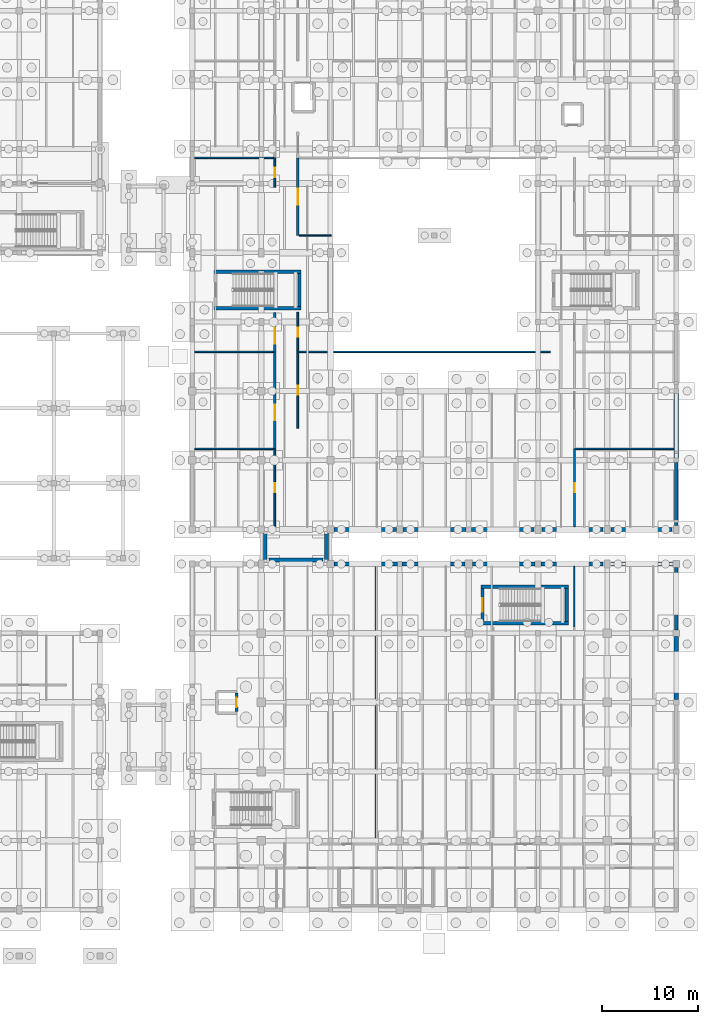
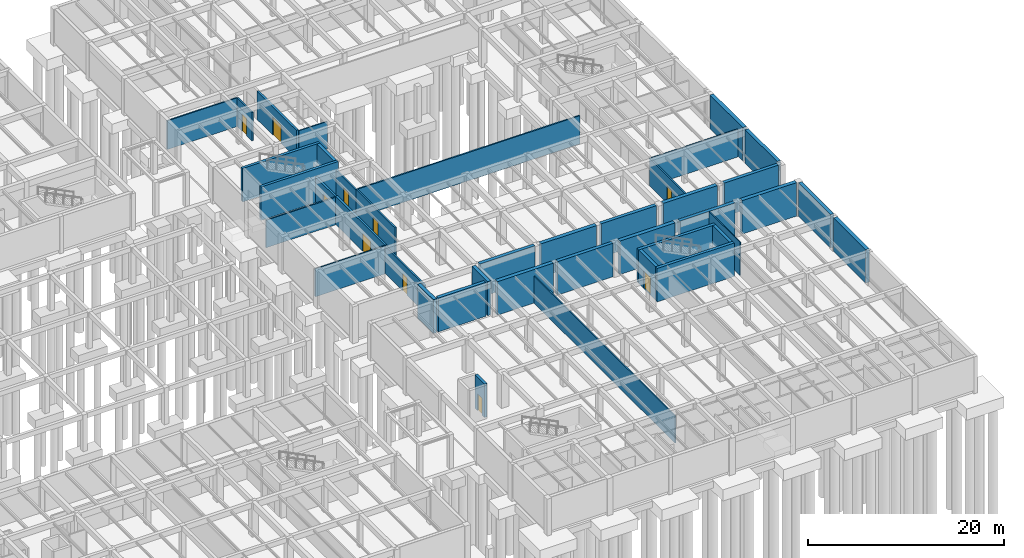
# One storey, part 48 of 63: 41 walls, 10 doors, 10 openings.
"""IFC4 building model written with IfcOpenShell, lengths in metres."""

from ifc_helpers import new_model, si_unit, direction, frame, frame_2d, origin, place, context, subcontext, project, spatial, rectangle, extrude, material, layer, layer_set, type_object, element, fill, save


model = new_model("IFC4")

# Units and contexts
model_context = context("Model", 3, precision=1e-05, world=origin(), true_north=direction((0.0, 1.0)))
body_context = subcontext(model_context, "Body", "Model", "MODEL_VIEW")
ifc_project = project(units=[si_unit("LENGTHUNIT", "METRE"), si_unit("AREAUNIT", "SQUARE_METRE"), si_unit("VOLUMEUNIT", "CUBIC_METRE"), si_unit("PLANEANGLEUNIT", "RADIAN"), si_unit("MASSUNIT", "GRAM", prefix="KILO")], contexts=[model_context])

# Site, building, storey
site_placement = place(None, origin())
site = spatial("IfcSite", under=ifc_project, at=site_placement, CompositionType="ELEMENT")
building_placement = place(site_placement, origin())
building = spatial("IfcBuilding", under=site, at=building_placement, Name="Mazaris Harbour Polytechnic", CompositionType="ELEMENT")
storey_placement = place(building_placement, frame((0.0, 0.0, -4.5)))
storey = spatial("IfcBuildingStorey", under=building, at=storey_placement, Name="B1", CompositionType="ELEMENT", Elevation=-4.5)

# Walls
ifc_material_1 = material(Name="Gypsum Board and Mineral Wool")
ifc_layer_1 = layer(ifc_material_1, 0.1201171875, Name="Gypsum Board and Mineral Wool")
ifc_layer_set_1 = layer_set([ifc_layer_1], Name="Gypsum Board and Mineral Wool")
wall_type_1 = type_object("IfcWallType", Name="Acoustic Stud Partition 120", PredefinedType="PARTITIONING", material=ifc_layer_set_1)
wall_1_placement = place(storey_placement, frame((162.1669921875, 36.68505859375, 0.0), z_axis=(0.0, 0.0, 1.0), x_axis=(0.0, 1.0, 0.0)))
element("IfcWall", 1, at=wall_1_placement, inside=storey, type_object=wall_type_1, Name="V2 B1 Partition 95", PredefinedType="PARTITIONING", context=body_context, shape_type="SweptSolid", body=[
    extrude(rectangle(XDim=6.264892578125, YDim=0.1201171875, at=frame_2d((3.13232421875, 0.0))), origin(), (0.0, 0.0, 1.0), 4.179931640625),
])
wall_2_placement = place(storey_placement, frame((133.52001953125, 77.39990234375, 0.0), z_axis=(0.0, 0.0, 1.0), x_axis=(1.0, 0.0, 0.0)))
element("IfcWall", 2, at=wall_2_placement, inside=storey, type_object=wall_type_1, Name="V5 B1 Partition 524", PredefinedType="PARTITIONING", context=body_context, shape_type="SweptSolid", body=[
    extrude(rectangle(XDim=3.35986328125, YDim=0.1201171875, at=frame_2d((1.679931640625, 0.0))), origin(), (0.0, 0.0, 1.0), 3.429931640625),
])

# Wall, opening, door
ifc_material_2 = material(Name="Concrete C35/45", Category="concrete")
ifc_layer_2 = layer(ifc_material_2, 0.239990234375, Name="Concrete C35/45")
ifc_layer_set_2 = layer_set([ifc_layer_2], Name="Concrete C35/45")
wall_type_2 = type_object("IfcWallType", Name="Archive Vault Fire Wall 240", PredefinedType="STANDARD", material=ifc_layer_set_2)
wall_3_placement = place(storey_placement, frame((131.0, 55.18505859375, 0.0), z_axis=(0.0, 0.0, 1.0), x_axis=(0.0, 1.0, 0.0)))
wall_3 = element("IfcWall", 3, at=wall_3_placement, inside=storey, type_object=wall_type_2, Name="V5 B1 Partition 513", PredefinedType="STANDARD", context=body_context, shape_type="SweptSolid", body=[
    extrude(rectangle(XDim=10.094970703125, YDim=0.239990234375, at=frame_2d((5.04736328125, 0.0))), origin(), (0.0, 0.0, 1.0), 3.530029296875),
])
opening_1_placement = place(wall_3_placement, frame((2.955810546875, 0.0, 0.0)))
opening_1 = element("IfcOpeningElement", 4, at=opening_1_placement, cuts=wall_3, Name="Opening ID-06D", PredefinedType="OPENING", context=body_context, shape_type="SweptSolid", body=[
    extrude(rectangle(XDim=1.64990234375, YDim=2.25, at=frame_2d((0.824951171875, 1.125))), frame((0.0, 0.1298828125, 0.0), z_axis=(0.0, -1.0, 0.0), x_axis=(1.0, 0.0, 0.0)), (0.0, 0.0, 1.0), 0.260009765625),
])
ifc_material_3 = material(Name="Galvanised Steel S355", Category="steel")
door_type_1 = type_object("IfcDoorType", Name="Plant and Substation Double Door 1650x2250", OperationType="DOUBLE_DOOR_SINGLE_SWING", PredefinedType="DOOR", material=ifc_material_3)
door_1_placement = place(opening_1_placement, origin())
door_1 = element("IfcDoor", 5, at=door_1_placement, inside=storey, type_object=door_type_1, Name="ID-0243", OperationType="DOUBLE_DOOR_SINGLE_SWING", OverallHeight=2.25, OverallWidth=1.64990234375, PredefinedType="DOOR", context=body_context, shape_type="SweptSolid", body=[
    extrude(rectangle(XDim=1.64990234375, YDim=2.25, at=frame_2d((0.824951171875, 1.125))), frame((0.0, 0.02490234375, 0.0), z_axis=(0.0, -1.0, 0.0), x_axis=(1.0, 0.0, 0.0)), (0.0, 0.0, 1.0), 0.050048828125),
])
fill(opening_1, door_1)

wall_4_placement = place(storey_placement, frame((131.0, 65.284912109375, 0.0), z_axis=(0.0, 0.0, 1.0), x_axis=(0.0, 1.0, 0.0)))
wall_4 = element("IfcWall", 6, at=wall_4_placement, inside=storey, type_object=wall_type_2, Name="V5 B1 Partition 515", PredefinedType="STANDARD", context=body_context, shape_type="SweptSolid", body=[
    extrude(rectangle(XDim=4.110107421875, YDim=0.239990234375, at=frame_2d((2.05517578125, 0.0))), origin(), (0.0, 0.0, 1.0), 3.429931640625),
])
opening_2_placement = place(wall_4_placement, frame((0.861083984375, 0.0, 0.0)))
opening_2 = element("IfcOpeningElement", 7, at=opening_2_placement, cuts=wall_4, Name="Opening ID-06D", PredefinedType="OPENING", context=body_context, shape_type="SweptSolid", body=[
    extrude(rectangle(XDim=1.64990234375, YDim=2.25, at=frame_2d((0.824951171875, 1.125))), frame((0.0, 0.1298828125, 0.0), z_axis=(0.0, -1.0, 0.0), x_axis=(1.0, 0.0, 0.0)), (0.0, 0.0, 1.0), 0.260009765625),
])
door_2_placement = place(opening_2_placement, origin())
door_2 = element("IfcDoor", 8, at=door_2_placement, inside=storey, type_object=door_type_1, Name="ID-0244", OperationType="DOUBLE_DOOR_SINGLE_SWING", OverallHeight=2.25, OverallWidth=1.64990234375, PredefinedType="DOOR", context=body_context, shape_type="SweptSolid", body=[
    extrude(rectangle(XDim=1.64990234375, YDim=2.25, at=frame_2d((0.824951171875, 1.125))), frame((0.0, 0.02490234375, 0.0), z_axis=(0.0, -1.0, 0.0), x_axis=(1.0, 0.0, 0.0)), (0.0, 0.0, 1.0), 0.050048828125),
])
fill(opening_2, door_2)

wall_5_placement = place(storey_placement, frame((133.39990234375, 77.39990234375, 0.0), z_axis=(0.0, 0.0, 1.0), x_axis=(0.0, 1.0, 0.0)))
wall_5 = element("IfcWall", 9, at=wall_5_placement, inside=storey, type_object=wall_type_2, Name="V5 B1 Partition 525", PredefinedType="STANDARD", context=body_context, shape_type="SweptSolid", body=[
    extrude(rectangle(XDim=8.080078125, YDim=0.239990234375, at=frame_2d((4.0400390625, 0.0))), origin(), (0.0, 0.0, 1.0), 3.530029296875),
])
opening_3_placement = place(wall_5_placement, frame((3.215087890625, 0.0, 0.0)))
opening_3 = element("IfcOpeningElement", 10, at=opening_3_placement, cuts=wall_5, Name="Opening ID-06D", PredefinedType="OPENING", context=body_context, shape_type="SweptSolid", body=[
    extrude(rectangle(XDim=1.64990234375, YDim=2.25, at=frame_2d((0.824951171875, 1.125))), frame((0.0, 0.1298828125, 0.0), z_axis=(0.0, -1.0, 0.0), x_axis=(1.0, 0.0, 0.0)), (0.0, 0.0, 1.0), 0.260009765625),
])
door_3_placement = place(opening_3_placement, origin())
door_3 = element("IfcDoor", 11, at=door_3_placement, inside=storey, type_object=door_type_1, Name="ID-0250", OperationType="DOUBLE_DOOR_SINGLE_SWING", OverallHeight=2.25, OverallWidth=1.64990234375, PredefinedType="DOOR", context=body_context, shape_type="SweptSolid", body=[
    extrude(rectangle(XDim=1.64990234375, YDim=2.25, at=frame_2d((0.824951171875, 1.125))), frame((0.0, 0.02490234375, 0.0), z_axis=(0.0, -1.0, 0.0), x_axis=(1.0, 0.0, 0.0)), (0.0, 0.0, 1.0), 0.050048828125),
])
fill(opening_3, door_3)

# Walls
ifc_material_4 = material(Name="Double Gypsum and Mineral Wool")
ifc_layer_3 = layer(ifc_material_4, 0.14990234375, Name="Double Gypsum and Mineral Wool")
ifc_layer_set_3 = layer_set([ifc_layer_3], Name="Double Gypsum and Mineral Wool")
wall_type_3 = type_object("IfcWallType", Name="Classroom Acoustic Partition 150", PredefinedType="PARTITIONING", material=ifc_layer_set_3)
wall_6_placement = place(storey_placement, frame((122.64990234375, 55.179931640625, 0.0), z_axis=(0.0, 0.0, 1.0), x_axis=(1.0, 0.0, 0.0)))
element("IfcWall", 12, at=wall_6_placement, inside=storey, type_object=wall_type_3, Name="V5 B1 Partition 512", PredefinedType="PARTITIONING", context=body_context, shape_type="SweptSolid", body=[
    extrude(rectangle(XDim=8.22998046875, YDim=0.14990234375, at=frame_2d((4.114990234375, 0.0))), origin(), (0.0, 0.0, 1.0), 3.47998046875),
])
wall_7_placement = place(storey_placement, frame((122.64990234375, 85.47998046875, 0.0), z_axis=(0.0, 0.0, 1.0), x_axis=(1.0, 0.0, 0.0)))
element("IfcWall", 13, at=wall_7_placement, inside=storey, type_object=wall_type_3, Name="V5 B1 Partition 517", PredefinedType="PARTITIONING", context=body_context, shape_type="SweptSolid", body=[
    extrude(rectangle(XDim=8.22998046875, YDim=0.14990234375, at=frame_2d((4.114990234375, 0.0))), origin(), (0.0, 0.0, 1.0), 3.580078125),
])
wall_8_placement = place(storey_placement, frame((162.320068359375, 55.179931640625, 0.0), z_axis=(0.0, 0.0, 1.0), x_axis=(1.0, 0.0, 0.0)))
element("IfcWall", 14, at=wall_8_placement, inside=storey, type_object=wall_type_3, Name="V5 B1 Partition 532", PredefinedType="PARTITIONING", context=body_context, shape_type="SweptSolid", body=[
    extrude(rectangle(XDim=10.22998046875, YDim=0.14990234375, at=frame_2d((5.114990234375, 0.0))), origin(), (0.0, 0.0, 1.0), 3.429931640625),
])

# Wall, opening, door
ifc_material_5 = material(Name="Terracotta Block and Plaster", Category="masonry")
ifc_layer_4 = layer(ifc_material_5, 0.179931640625, Name="Terracotta Block and Plaster")
ifc_layer_set_4 = layer_set([ifc_layer_4], Name="Terracotta Block and Plaster")
wall_type_4 = type_object("IfcWallType", Name="Corridor Fire Partition 180", PredefinedType="PARTITIONING", material=ifc_layer_set_4)
wall_9_placement = place(storey_placement, frame((131.0, 47.10009765625, 0.0), z_axis=(0.0, 0.0, 1.0), x_axis=(0.0, 1.0, 0.0)))
wall_9 = element("IfcWall", 15, at=wall_9_placement, inside=storey, type_object=wall_type_4, Name="V5 B1 Partition 511", PredefinedType="PARTITIONING", context=body_context, shape_type="SweptSolid", body=[
    extrude(rectangle(XDim=8.079833984375, YDim=0.179931640625, at=frame_2d((4.0400390625, 0.0))), origin(), (0.0, 0.0, 1.0), 3.3798828125),
])
opening_4_placement = place(wall_9_placement, frame((3.56005859375, 0.0, 0.0)))
opening_4 = element("IfcOpeningElement", 16, at=opening_4_placement, cuts=wall_9, Name="Opening ID-01R", PredefinedType="OPENING", context=body_context, shape_type="SweptSolid", body=[
    extrude(rectangle(XDim=0.9599609375, YDim=2.14990234375, at=frame_2d((0.47998046875, 1.074951171875))), frame((0.0, 0.099853515625, 0.0), z_axis=(0.0, -1.0, 0.0), x_axis=(1.0, 0.0, 0.0)), (0.0, 0.0, 1.0), 0.199951171875),
])
ifc_material_6 = material(Name="Solid Oak Timber", Category="wood")
door_type_2 = type_object("IfcDoorType", Name="Classroom Single Door RH 960x2150", OperationType="SINGLE_SWING_RIGHT", PredefinedType="DOOR", material=ifc_material_6)
door_4_placement = place(opening_4_placement, origin())
door_4 = element("IfcDoor", 17, at=door_4_placement, inside=storey, type_object=door_type_2, Name="ID-0242", OperationType="SINGLE_SWING_RIGHT", OverallHeight=2.14990234375, OverallWidth=0.9599609375, PredefinedType="DOOR", context=body_context, shape_type="SweptSolid", body=[
    extrude(rectangle(XDim=0.9599609375, YDim=2.14990234375, at=frame_2d((0.47998046875, 1.074951171875))), frame((0.0, 0.02490234375, 0.0), z_axis=(0.0, -1.0, 0.0), x_axis=(1.0, 0.0, 0.0)), (0.0, 0.0, 1.0), 0.050048828125),
])
fill(opening_4, door_4)

wall_10_placement = place(storey_placement, frame((131.0, 82.419921875, 0.0), z_axis=(0.0, 0.0, 1.0), x_axis=(0.0, 1.0, 0.0)))
wall_10 = element("IfcWall", 18, at=wall_10_placement, inside=storey, type_object=wall_type_4, Name="V5 B1 Partition 516", PredefinedType="PARTITIONING", context=body_context, shape_type="SweptSolid", body=[
    extrude(rectangle(XDim=3.06005859375, YDim=0.179931640625, at=frame_2d((1.530029296875, 0.0))), origin(), (0.0, 0.0, 1.0), 3.530029296875),
])
opening_5_placement = place(wall_10_placement, frame((1.054931640625, 0.0, 0.0)))
opening_5 = element("IfcOpeningElement", 19, at=opening_5_placement, cuts=wall_10, Name="Opening ID-01L", PredefinedType="OPENING", context=body_context, shape_type="SweptSolid", body=[
    extrude(rectangle(XDim=0.949951171875, YDim=2.14990234375, at=frame_2d((0.47509765625, 1.074951171875))), frame((0.0, 0.099853515625, 0.0), z_axis=(0.0, -1.0, 0.0), x_axis=(1.0, 0.0, 0.0)), (0.0, 0.0, 1.0), 0.199951171875),
])
ifc_material_7 = material(Name="Solid Oak Timber", Category="wood")
door_type_3 = type_object("IfcDoorType", Name="Classroom Single Door LH 950x2150", OperationType="SINGLE_SWING_LEFT", PredefinedType="DOOR", material=ifc_material_7)
door_5_placement = place(opening_5_placement, origin())
door_5 = element("IfcDoor", 20, at=door_5_placement, inside=storey, type_object=door_type_3, Name="ID-0245", OperationType="SINGLE_SWING_LEFT", OverallHeight=2.14990234375, OverallWidth=0.949951171875, PredefinedType="DOOR", context=body_context, shape_type="SweptSolid", body=[
    extrude(rectangle(XDim=0.949951171875, YDim=2.14990234375, at=frame_2d((0.47509765625, 1.074951171875))), frame((0.0, 0.02490234375, 0.0), z_axis=(0.0, -1.0, 0.0), x_axis=(1.0, 0.0, 0.0)), (0.0, 0.0, 1.0), 0.050048828125),
])
fill(opening_5, door_5)

wall_11_placement = place(storey_placement, frame((133.39990234375, 57.320068359375, 0.0), z_axis=(0.0, 0.0, 1.0), x_axis=(0.0, 1.0, 0.0)))
wall_11 = element("IfcWall", 21, at=wall_11_placement, inside=storey, type_object=wall_type_4, Name="V5 B1 Partition 521", PredefinedType="PARTITIONING", context=body_context, shape_type="SweptSolid", body=[
    extrude(rectangle(XDim=7.9599609375, YDim=0.179931640625, at=frame_2d((3.97998046875, 0.0))), origin(), (0.0, 0.0, 1.0), 3.530029296875),
])
opening_6_placement = place(wall_11_placement, frame((3.5048828125, 0.0, 0.0)))
opening_6 = element("IfcOpeningElement", 22, at=opening_6_placement, cuts=wall_11, Name="Opening ID-01L", PredefinedType="OPENING", context=body_context, shape_type="SweptSolid", body=[
    extrude(rectangle(XDim=0.949951171875, YDim=2.14990234375, at=frame_2d((0.47509765625, 1.074951171875))), frame((0.0, 0.099853515625, 0.0), z_axis=(0.0, -1.0, 0.0), x_axis=(1.0, 0.0, 0.0)), (0.0, 0.0, 1.0), 0.199951171875),
])
door_6_placement = place(opening_6_placement, origin())
door_6 = element("IfcDoor", 23, at=door_6_placement, inside=storey, type_object=door_type_3, Name="ID-0248", OperationType="SINGLE_SWING_LEFT", OverallHeight=2.14990234375, OverallWidth=0.949951171875, PredefinedType="DOOR", context=body_context, shape_type="SweptSolid", body=[
    extrude(rectangle(XDim=0.949951171875, YDim=2.14990234375, at=frame_2d((0.47509765625, 1.074951171875))), frame((0.0, 0.02490234375, 0.0), z_axis=(0.0, -1.0, 0.0), x_axis=(1.0, 0.0, 0.0)), (0.0, 0.0, 1.0), 0.050048828125),
])
fill(opening_6, door_6)

wall_12_placement = place(storey_placement, frame((133.39990234375, 65.284912109375, 0.0), z_axis=(0.0, 0.0, 1.0), x_axis=(0.0, 1.0, 0.0)))
wall_12 = element("IfcWall", 24, at=wall_12_placement, inside=storey, type_object=wall_type_4, Name="V5 B1 Partition 523", PredefinedType="PARTITIONING", context=body_context, shape_type="SweptSolid", body=[
    extrude(rectangle(XDim=4.110107421875, YDim=0.179931640625, at=frame_2d((2.05517578125, 0.0))), origin(), (0.0, 0.0, 1.0), 3.429931640625),
])
opening_7_placement = place(wall_12_placement, frame((1.574951171875, 0.0, 0.0)))
opening_7 = element("IfcOpeningElement", 25, at=opening_7_placement, cuts=wall_12, Name="Opening ID-01R", PredefinedType="OPENING", context=body_context, shape_type="SweptSolid", body=[
    extrude(rectangle(XDim=0.9599609375, YDim=2.14990234375, at=frame_2d((0.47998046875, 1.074951171875))), frame((0.0, 0.099853515625, 0.0), z_axis=(0.0, -1.0, 0.0), x_axis=(1.0, 0.0, 0.0)), (0.0, 0.0, 1.0), 0.199951171875),
])
door_7_placement = place(opening_7_placement, origin())
door_7 = element("IfcDoor", 26, at=door_7_placement, inside=storey, type_object=door_type_2, Name="ID-0249", OperationType="SINGLE_SWING_RIGHT", OverallHeight=2.14990234375, OverallWidth=0.9599609375, PredefinedType="DOOR", context=body_context, shape_type="SweptSolid", body=[
    extrude(rectangle(XDim=0.9599609375, YDim=2.14990234375, at=frame_2d((0.47998046875, 1.074951171875))), frame((0.0, 0.02490234375, 0.0), z_axis=(0.0, -1.0, 0.0), x_axis=(1.0, 0.0, 0.0)), (0.0, 0.0, 1.0), 0.050048828125),
])
fill(opening_7, door_7)

wall_13_placement = place(storey_placement, frame((162.199951171875, 47.10009765625, 0.0), z_axis=(0.0, 0.0, 1.0), x_axis=(0.0, 1.0, 0.0)))
wall_13 = element("IfcWall", 27, at=wall_13_placement, inside=storey, type_object=wall_type_4, Name="V5 B1 Partition 531", PredefinedType="PARTITIONING", context=body_context, shape_type="SweptSolid", body=[
    extrude(rectangle(XDim=8.079833984375, YDim=0.179931640625, at=frame_2d((4.0400390625, 0.0))), origin(), (0.0, 0.0, 1.0), 3.429931640625),
])
opening_8_placement = place(wall_13_placement, frame((3.56005859375, 0.0, 0.0)))
opening_8 = element("IfcOpeningElement", 28, at=opening_8_placement, cuts=wall_13, Name="Opening ID-01R", PredefinedType="OPENING", context=body_context, shape_type="SweptSolid", body=[
    extrude(rectangle(XDim=0.9599609375, YDim=2.14990234375, at=frame_2d((0.47998046875, 1.074951171875))), frame((0.0, 0.099853515625, 0.0), z_axis=(0.0, -1.0, 0.0), x_axis=(1.0, 0.0, 0.0)), (0.0, 0.0, 1.0), 0.199951171875),
])
door_8_placement = place(opening_8_placement, origin())
door_8 = element("IfcDoor", 29, at=door_8_placement, inside=storey, type_object=door_type_2, Name="ID-0253", OperationType="SINGLE_SWING_RIGHT", OverallHeight=2.14990234375, OverallWidth=0.9599609375, PredefinedType="DOOR", context=body_context, shape_type="SweptSolid", body=[
    extrude(rectangle(XDim=0.9599609375, YDim=2.14990234375, at=frame_2d((0.47998046875, 1.074951171875))), frame((0.0, 0.02490234375, 0.0), z_axis=(0.0, -1.0, 0.0), x_axis=(1.0, 0.0, 0.0)), (0.0, 0.0, 1.0), 0.050048828125),
])
fill(opening_8, door_8)

# Walls
ifc_material_8 = material(Name="Fireboard and Mineral Wool")
ifc_layer_5 = layer(ifc_material_8, 0.1650390625, Name="Fireboard and Mineral Wool")
ifc_layer_set_5 = layer_set([ifc_layer_5], Name="Fireboard and Mineral Wool")
wall_type_5 = type_object("IfcWallType", Name="Laboratory Rated Partition 165", PredefinedType="PARTITIONING", material=ifc_layer_set_5)
wall_14_placement = place(storey_placement, frame((122.64990234375, 65.280029296875, 0.0), z_axis=(0.0, 0.0, 1.0), x_axis=(1.0, 0.0, 0.0)))
element("IfcWall", 30, at=wall_14_placement, inside=storey, type_object=wall_type_5, Name="V5 B1 Partition 514", PredefinedType="PARTITIONING", context=body_context, shape_type="SweptSolid", body=[
    extrude(rectangle(XDim=8.22021484375, YDim=0.1650390625, at=frame_2d((4.110107421875, 0.0))), origin(), (0.0, 0.0, 1.0), 3.429931640625),
])
wall_15_placement = place(storey_placement, frame((133.52001953125, 65.280029296875, 0.0), z_axis=(0.0, 0.0, 1.0), x_axis=(1.0, 0.0, 0.0)))
element("IfcWall", 31, at=wall_15_placement, inside=storey, type_object=wall_type_5, Name="V5 B1 Partition 522", PredefinedType="PARTITIONING", context=body_context, shape_type="SweptSolid", body=[
    extrude(rectangle(XDim=26.159912109375, YDim=0.1650390625, at=frame_2d((13.080078125, 0.0))), origin(), (0.0, 0.0, 1.0), 3.530029296875),
])
ifc_material_9 = material(Name="Concrete C35/45", Category="concrete")
ifc_layer_6 = layer(ifc_material_9, 0.39990234375, Name="Concrete C35/45")
ifc_layer_set_6 = layer_set([ifc_layer_6], Name="Concrete C35/45")
wall_type_6 = type_object("IfcWallType", Name="RC Basement Retaining Wall 400", PredefinedType="USERDEFINED", material=ifc_layer_set_6)
wall_16_placement = place(storey_placement, frame((144.25, 43.199951171875, 0.0), z_axis=(0.0, 0.0, 1.0), x_axis=(1.0, 0.0, 0.0)))
element("IfcWall", 32, at=wall_16_placement, inside=storey, type_object=wall_type_6, Name="V2 B1 Retaining Wall 36", ObjectType="RETAINING WALL", PredefinedType="USERDEFINED", context=body_context, shape_type="SweptSolid", body=[
    extrude(rectangle(XDim=6.550048828125, YDim=0.39990234375, at=frame_2d((3.27490234375, 0.0))), origin(), (0.0, 0.0, 1.0), 4.179931640625),
])
wall_17_placement = place(storey_placement, frame((158.699951171875, 43.199951171875, 0.0), z_axis=(0.0, 0.0, 1.0), x_axis=(1.0, 0.0, 0.0)))
element("IfcWall", 33, at=wall_17_placement, inside=storey, type_object=wall_type_6, Name="V2 B1 Retaining Wall 38", ObjectType="RETAINING WALL", PredefinedType="USERDEFINED", context=body_context, shape_type="SweptSolid", body=[
    extrude(rectangle(XDim=6.47509765625, YDim=0.39990234375, at=frame_2d((3.237548828125, 0.0))), origin(), (0.0, 0.0, 1.0), 4.179931640625),
])
wall_18_placement = place(storey_placement, frame((172.800048828125, 36.324951171875, 0.0), z_axis=(0.0, 0.0, 1.0), x_axis=(0.0, 1.0, 0.0)))
element("IfcWall", 34, at=wall_18_placement, inside=storey, type_object=wall_type_6, Name="V2 B1 Retaining Wall 48", ObjectType="RETAINING WALL", PredefinedType="USERDEFINED", context=body_context, shape_type="SweptSolid", body=[
    extrude(rectangle(XDim=6.525146484375, YDim=0.39990234375, at=frame_2d((3.2626953125, 0.0))), origin(), (0.0, 0.0, 1.0), 4.179931640625),
])
for number, where, z_axis, x_axis, name in (
    (35, (137.14990234375, 46.800048828125, 0.0), (0.0, 0.0, 1.0), (1.0, 0.0, 0.0), "V5 B1 Retaining Wall 104"),
    (36, (151.47509765625, 46.800048828125, 0.0), (0.0, 0.0, 1.0), (1.0, 0.0, 0.0), "V5 B1 Retaining Wall 106"),
):
    element("IfcWall", number, at=place(storey_placement, frame(where, z_axis=z_axis, x_axis=x_axis)), inside=storey, type_object=wall_type_6, Name=name, ObjectType="RETAINING WALL", PredefinedType="USERDEFINED", context=body_context, shape_type="SweptSolid", body=[
        extrude(rectangle(XDim=6.5, YDim=0.39990234375, at=frame_2d((3.25, 0.0))), origin(), (0.0, 0.0, 1.0), 4.179931640625),
    ])
wall_19_placement = place(storey_placement, frame((166.02490234375, 46.800048828125, 0.0), z_axis=(0.0, 0.0, 1.0), x_axis=(1.0, 0.0, 0.0)))
element("IfcWall", 37, at=wall_19_placement, inside=storey, type_object=wall_type_6, Name="V5 B1 Retaining Wall 108", ObjectType="RETAINING WALL", PredefinedType="USERDEFINED", context=body_context, shape_type="SweptSolid", body=[
    extrude(rectangle(XDim=6.35009765625, YDim=0.39990234375, at=frame_2d((3.175048828125, 0.0))), origin(), (0.0, 0.0, 1.0), 4.179931640625),
])
wall_20_placement = place(storey_placement, frame((172.800048828125, 47.22509765625, 0.0), z_axis=(0.0, 0.0, 1.0), x_axis=(0.0, 1.0, 0.0)))
element("IfcWall", 38, at=wall_20_placement, inside=storey, type_object=wall_type_6, Name="V5 B1 Retaining Wall 124", ObjectType="RETAINING WALL", PredefinedType="USERDEFINED", context=body_context, shape_type="SweptSolid", body=[
    extrude(rectangle(XDim=6.5498046875, YDim=0.39990234375, at=frame_2d((3.27490234375, 0.0))), origin(), (0.0, 0.0, 1.0), 4.179931640625),
])
for number, where, z_axis, x_axis, name in (
    (39, (130.0, 43.39990234375, 0.0), (0.0, 0.0, 1.0), (0.0, 1.0, 0.0), "PB-NE B1 Support Wall 1"),
    (40, (136.39990234375, 43.39990234375, 0.0), (0.0, 0.0, 1.0), (0.0, 1.0, 0.0), "PB-NE B1 Support Wall 2"),
):
    element("IfcWall", number, at=place(storey_placement, frame(where, z_axis=z_axis, x_axis=x_axis)), inside=storey, type_object=wall_type_6, Name=name, ObjectType="RETAINING WALL", PredefinedType="USERDEFINED", context=body_context, shape_type="SweptSolid", body=[
        extrude(rectangle(XDim=3.2001953125, YDim=0.39990234375, at=frame_2d((1.60009765625, 0.0))), origin(), (0.0, 0.0, 1.0), 4.235107421875),
    ])
wall_21_placement = place(storey_placement, frame((130.39990234375, 43.60009765625, 0.0), z_axis=(0.0, 0.0, 1.0), x_axis=(1.0, 0.0, 0.0)))
element("IfcWall", 41, at=wall_21_placement, inside=storey, type_object=wall_type_6, Name="PB-NE B1 Cross Support Wall", ObjectType="RETAINING WALL", PredefinedType="USERDEFINED", context=body_context, shape_type="SweptSolid", body=[
    extrude(rectangle(XDim=5.60009765625, YDim=0.39990234375, at=frame_2d((2.800048828125, 0.0))), origin(), (0.0, 0.0, 1.0), 4.235107421875),
])
ifc_material_10 = material(Name="Concrete C35/45", Category="concrete")
ifc_layer_7 = layer(ifc_material_10, 0.449951171875, Name="Concrete C35/45")
ifc_layer_set_7 = layer_set([ifc_layer_7], Name="Concrete C35/45")
wall_type_7 = type_object("IfcWallType", Name="RC Basement Retaining Wall 450", PredefinedType="USERDEFINED", material=ifc_layer_set_7)
wall_22_placement = place(storey_placement, frame((137.14990234375, 43.199951171875, 0.0), z_axis=(0.0, 0.0, 1.0), x_axis=(1.0, 0.0, 0.0)))
element("IfcWall", 42, at=wall_22_placement, inside=storey, type_object=wall_type_7, Name="V2 B1 Retaining Wall 35", ObjectType="RETAINING WALL", PredefinedType="USERDEFINED", context=body_context, shape_type="SweptSolid", body=[
    extrude(rectangle(XDim=6.60009765625, YDim=0.449951171875, at=frame_2d((3.300048828125, 0.0))), origin(), (0.0, 0.0, 1.0), 4.179931640625),
])
wall_23_placement = place(storey_placement, frame((151.60009765625, 43.199951171875, 0.0), z_axis=(0.0, 0.0, 1.0), x_axis=(1.0, 0.0, 0.0)))
element("IfcWall", 43, at=wall_23_placement, inside=storey, type_object=wall_type_7, Name="V2 B1 Retaining Wall 37", ObjectType="RETAINING WALL", PredefinedType="USERDEFINED", context=body_context, shape_type="SweptSolid", body=[
    extrude(rectangle(XDim=6.5, YDim=0.449951171875, at=frame_2d((3.25, 0.0))), origin(), (0.0, 0.0, 1.0), 4.179931640625),
])
wall_24_placement = place(storey_placement, frame((166.02490234375, 43.199951171875, 0.0), z_axis=(0.0, 0.0, 1.0), x_axis=(1.0, 0.0, 0.0)))
element("IfcWall", 44, at=wall_24_placement, inside=storey, type_object=wall_type_7, Name="V2 B1 Retaining Wall 39", ObjectType="RETAINING WALL", PredefinedType="USERDEFINED", context=body_context, shape_type="SweptSolid", body=[
    extrude(rectangle(XDim=6.425048828125, YDim=0.449951171875, at=frame_2d((3.21240234375, 0.0))), origin(), (0.0, 0.0, 1.0), 4.179931640625),
])
for number, where, z_axis, x_axis, name in (
    (45, (172.800048828125, 29.10009765625, 0.0), (0.0, 0.0, 1.0), (0.0, 1.0, 0.0), "V2 B1 Retaining Wall 47"),
    (46, (144.35009765625, 46.800048828125, 0.0), (0.0, 0.0, 1.0), (1.0, 0.0, 0.0), "V5 B1 Retaining Wall 105"),
):
    element("IfcWall", number, at=place(storey_placement, frame(where, z_axis=z_axis, x_axis=x_axis)), inside=storey, type_object=wall_type_7, Name=name, ObjectType="RETAINING WALL", PredefinedType="USERDEFINED", context=body_context, shape_type="SweptSolid", body=[
        extrude(rectangle(XDim=6.574951171875, YDim=0.449951171875, at=frame_2d((3.28759765625, 0.0))), origin(), (0.0, 0.0, 1.0), 4.179931640625),
    ])
wall_25_placement = place(storey_placement, frame((158.824951171875, 46.800048828125, 0.0), z_axis=(0.0, 0.0, 1.0), x_axis=(1.0, 0.0, 0.0)))
element("IfcWall", 47, at=wall_25_placement, inside=storey, type_object=wall_type_7, Name="V5 B1 Retaining Wall 107", ObjectType="RETAINING WALL", PredefinedType="USERDEFINED", context=body_context, shape_type="SweptSolid", body=[
    extrude(rectangle(XDim=6.35009765625, YDim=0.449951171875, at=frame_2d((3.175048828125, 0.0))), origin(), (0.0, 0.0, 1.0), 4.179931640625),
])
wall_26_placement = place(storey_placement, frame((172.800048828125, 54.22509765625, 0.0), z_axis=(0.0, 0.0, 1.0), x_axis=(0.0, 1.0, 0.0)))
element("IfcWall", 48, at=wall_26_placement, inside=storey, type_object=wall_type_7, Name="V5 B1 Retaining Wall 125", ObjectType="RETAINING WALL", PredefinedType="USERDEFINED", context=body_context, shape_type="SweptSolid", body=[
    extrude(rectangle(XDim=6.724853515625, YDim=0.449951171875, at=frame_2d((3.3623046875, 0.0))), origin(), (0.0, 0.0, 1.0), 4.179931640625),
])
ifc_material_11 = material(Name="Concrete C40/50", Category="concrete")
ifc_layer_8 = layer(ifc_material_11, 0.324951171875, Name="Concrete C40/50")
ifc_layer_set_8 = layer_set([ifc_layer_8], Name="Concrete C40/50")
wall_type_8 = type_object("IfcWallType", Name="RC Core Shear Wall 325", PredefinedType="SHEAR", material=ifc_layer_set_8)
for number, where, z_axis, x_axis, name in (
    (49, (124.64990234375, 69.824951171875, 0.0), (0.0, 0.0, 1.0), (1.0, 0.0, 0.0), "Core ST09 B1 Shear Wall S"),
    (50, (133.75, 73.625, 0.0), (0.0, 0.0, 1.0), (-1.0, 0.0, 0.0), "Core ST09 B1 Shear Wall N"),
):
    element("IfcWall", number, at=place(storey_placement, frame(where, z_axis=z_axis, x_axis=x_axis)), inside=storey, type_object=wall_type_8, Name=name, PredefinedType="SHEAR", context=body_context, shape_type="SweptSolid", body=[
        extrude(rectangle(XDim=9.10009765625, YDim=0.324951171875, at=frame_2d((4.550048828125, 0.0))), origin(), (0.0, 0.0, 1.0), 4.179931640625),
    ])
wall_27_placement = place(storey_placement, frame((133.574951171875, 70.0, 0.0), z_axis=(0.0, 0.0, 1.0), x_axis=(0.0, 1.0, 0.0)))
element("IfcWall", 51, at=wall_27_placement, inside=storey, type_object=wall_type_8, Name="Core ST09 B1 Shear Wall E", PredefinedType="SHEAR", context=body_context, shape_type="SweptSolid", body=[
    extrude(rectangle(XDim=3.449951171875, YDim=0.324951171875, at=frame_2d((1.72509765625, 0.0))), origin(), (0.0, 0.0, 1.0), 4.179931640625),
])
ifc_material_12 = material(Name="Concrete C40/50", Category="concrete")
ifc_layer_9 = layer(ifc_material_12, 0.35009765625, Name="Concrete C40/50")
ifc_layer_set_9 = layer_set([ifc_layer_9], Name="Concrete C40/50")
wall_type_9 = type_object("IfcWallType", Name="RC Core Shear Wall 350", PredefinedType="SHEAR", material=ifc_layer_set_9)
for number, where, z_axis, x_axis, name in (
    (52, (152.449951171875, 37.02490234375, 0.0), (0.0, 0.0, 1.0), (1.0, 0.0, 0.0), "Core ST04 B1 Shear Wall S"),
    (53, (161.550048828125, 40.824951171875, 0.0), (0.0, 0.0, 1.0), (-1.0, 0.0, 0.0), "Core ST04 B1 Shear Wall N"),
):
    element("IfcWall", number, at=place(storey_placement, frame(where, z_axis=z_axis, x_axis=x_axis)), inside=storey, type_object=wall_type_9, Name=name, PredefinedType="SHEAR", context=body_context, shape_type="SweptSolid", body=[
        extrude(rectangle(XDim=9.10009765625, YDim=0.35009765625, at=frame_2d((4.550048828125, 0.0))), origin(), (0.0, 0.0, 1.0), 4.179931640625),
    ])
wall_28_placement = place(storey_placement, frame((161.375, 37.199951171875, 0.0), z_axis=(0.0, 0.0, 1.0), x_axis=(0.0, 1.0, 0.0)))
element("IfcWall", 54, at=wall_28_placement, inside=storey, type_object=wall_type_9, Name="Core ST04 B1 Shear Wall E", PredefinedType="SHEAR", context=body_context, shape_type="SweptSolid", body=[
    extrude(rectangle(XDim=3.449951171875, YDim=0.35009765625, at=frame_2d((1.72509765625, 0.0))), origin(), (0.0, 0.0, 1.0), 4.179931640625),
])

# Wall, opening, door
wall_29_placement = place(storey_placement, frame((152.625, 40.64990234375, 0.0), z_axis=(0.0, 0.0, 1.0), x_axis=(0.0, -1.0, 0.0)))
wall_29 = element("IfcWall", 55, at=wall_29_placement, inside=storey, type_object=wall_type_9, Name="Core ST04 B1 Entrance Shear Wall", PredefinedType="SHEAR", context=body_context, shape_type="SweptSolid", body=[
    extrude(rectangle(XDim=3.449951171875, YDim=0.35009765625, at=frame_2d((1.72509765625, 0.0))), origin(), (0.0, 0.0, 1.0), 4.179931640625),
])
opening_9_placement = place(wall_29_placement, frame((1.034912109375, 0.0, 0.0)))
opening_9 = element("IfcOpeningElement", 56, at=opening_9_placement, cuts=wall_29, Name="Opening SD-01", PredefinedType="OPENING", context=body_context, shape_type="SweptSolid", body=[
    extrude(rectangle(XDim=1.3798828125, YDim=2.199951171875, at=frame_2d((0.68994140625, 1.10009765625))), frame((0.0, 0.18505859375, 0.0), z_axis=(0.0, -1.0, 0.0), x_axis=(1.0, 0.0, 0.0)), (0.0, 0.0, 1.0), 0.3701171875),
])
ifc_material_13 = material(Name="Glulam Timber and Fire Glass", Category="wood")
door_type_4 = type_object("IfcDoorType", Name="Protected Stair Lobby Fire Door 1380x2200", OperationType="DOUBLE_DOOR_SINGLE_SWING", PredefinedType="DOOR", material=ifc_material_13)
door_9_placement = place(opening_9_placement, origin())
door_9 = element("IfcDoor", 57, at=door_9_placement, inside=storey, type_object=door_type_4, Name="SD-014", OperationType="DOUBLE_DOOR_SINGLE_SWING", OverallHeight=2.199951171875, OverallWidth=1.3798828125, PredefinedType="DOOR", context=body_context, shape_type="SweptSolid", body=[
    extrude(rectangle(XDim=1.3798828125, YDim=2.199951171875, at=frame_2d((0.68994140625, 1.10009765625))), frame((0.0, 0.02490234375, 0.0), z_axis=(0.0, -1.0, 0.0), x_axis=(1.0, 0.0, 0.0)), (0.0, 0.0, 1.0), 0.050048828125),
])
fill(opening_9, door_9)

ifc_material_14 = material(Name="Concrete C40/50", Category="concrete")
ifc_layer_10 = layer(ifc_material_14, 0.300048828125, Name="Concrete C40/50")
ifc_layer_set_10 = layer_set([ifc_layer_10], Name="Concrete C40/50")
wall_type_10 = type_object("IfcWallType", Name="RC Lift Shaft Wall 300", PredefinedType="SHEAR", material=ifc_layer_set_10)
wall_30_placement = place(storey_placement, frame((127.0, 29.760009765625, 0.0), z_axis=(0.0, 0.0, 1.0), x_axis=(0.0, -1.0, 0.0)))
wall_30 = element("IfcWall", 58, at=wall_30_placement, inside=storey, type_object=wall_type_10, Name="Lift LP-02 B1 Front Shaft Wall", PredefinedType="SHEAR", context=body_context, shape_type="SweptSolid", body=[
    extrude(rectangle(XDim=1.919921875, YDim=0.300048828125, at=frame_2d((0.9599609375, 0.0))), origin(), (0.0, 0.0, 1.0), 4.179931640625),
])
opening_10_placement = place(wall_30_placement, frame((0.4599609375, 0.0, 0.0)))
opening_10 = element("IfcOpeningElement", 59, at=opening_10_placement, cuts=wall_30, Name="Opening LD-01", PredefinedType="OPENING", context=body_context, shape_type="SweptSolid", body=[
    extrude(rectangle(XDim=1.0, YDim=2.10009765625, at=frame_2d((0.5, 1.050048828125))), frame((0.0, 0.159912109375, 0.0), z_axis=(0.0, -1.0, 0.0), x_axis=(1.0, 0.0, 0.0)), (0.0, 0.0, 1.0), 0.320068359375),
])
ifc_material_15 = material(Name="Stainless Steel S355", Category="steel")
door_type_5 = type_object("IfcDoorType", Name="Sliding Passenger Lift Landing Door 1000x2100", OperationType="SLIDING_TO_LEFT", PredefinedType="DOOR", material=ifc_material_15)
door_10_placement = place(opening_10_placement, origin())
door_10 = element("IfcDoor", 60, at=door_10_placement, inside=storey, type_object=door_type_5, Name="LD-020", OperationType="SLIDING_TO_LEFT", OverallHeight=2.10009765625, OverallWidth=1.0, PredefinedType="DOOR", context=body_context, shape_type="SweptSolid", body=[
    extrude(rectangle(XDim=1.0, YDim=2.10009765625, at=frame_2d((0.5, 1.050048828125))), frame((0.0, 0.02490234375, 0.0), z_axis=(0.0, -1.0, 0.0), x_axis=(1.0, 0.0, 0.0)), (0.0, 0.0, 1.0), 0.050048828125),
])
fill(opening_10, door_10)

# Wall
ifc_material_16 = material(Name="Gypsum Board and Mineral Wool")
ifc_layer_11 = layer(ifc_material_16, 0.135009765625, Name="Gypsum Board and Mineral Wool")
ifc_layer_set_11 = layer_set([ifc_layer_11], Name="Gypsum Board and Mineral Wool")
wall_type_11 = type_object("IfcWallType", Name="Studio Partition Wall 135", PredefinedType="PARTITIONING", material=ifc_layer_set_11)
wall_31_placement = place(storey_placement, frame((141.501953125, 14.169921875, 0.0), z_axis=(0.0, 0.0, 1.0), x_axis=(0.0, 1.0, 0.0)))
element("IfcWall", 61, at=wall_31_placement, inside=storey, type_object=wall_type_11, Name="V2 B1 Partition 89", PredefinedType="PARTITIONING", context=body_context, shape_type="SweptSolid", body=[
    extrude(rectangle(XDim=28.780029296875, YDim=0.135009765625, at=frame_2d((14.39013671875, 0.0))), origin(), (0.0, 0.0, 1.0), 3.3798828125),
])

save(model, "model.ifc")
